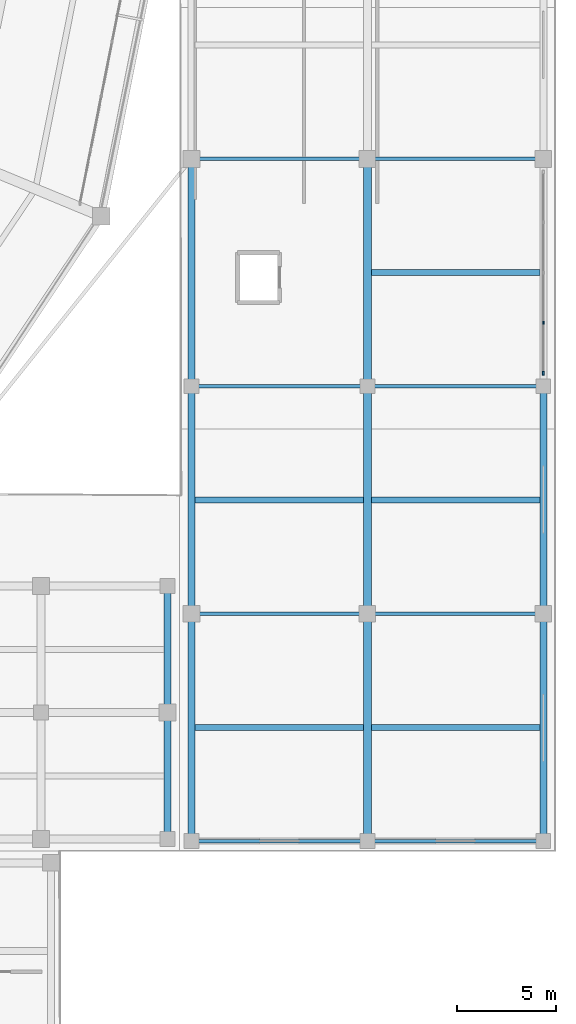
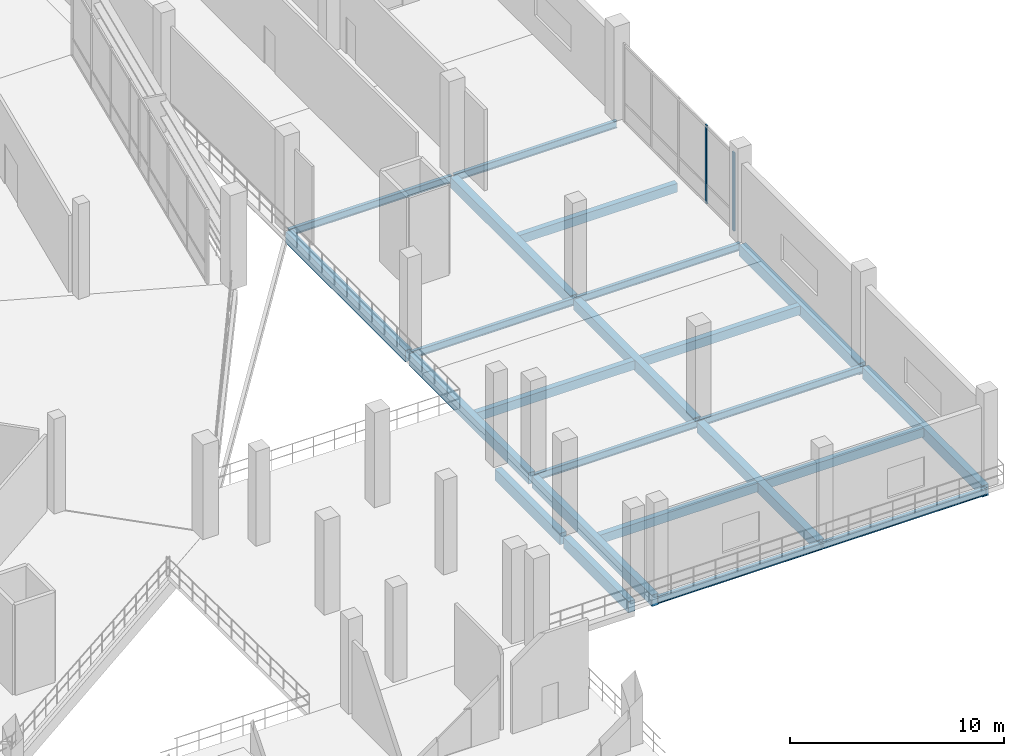
# One storey, part 39 of 114: 23 beams, 2 members, 1 element without a shape of its own.
"""IFC4 building model written with IfcOpenShell, lengths in metres."""

import ifcopenshell
import ifcopenshell.guid

model = None  # the IFC model being written
_history = None  # IfcOwnerHistory: only IFC2X3 demands one
_inside = {}  # id of a spatial element -> (the spatial element, [elements in it])
_under = {}  # id of a project, library or spatial element -> (it, [spatial elements below it])
_declared = {}  # id of a project -> (the project, [libraries it declares])
_typed = {}  # id of a type object -> (the type object, [elements of that type])
_made_of = {}  # id of a material, layer set ... -> (it, [elements and type objects made of it])


def new_model(schema):
    """Start an empty IFC model of exactly this schema.

    Asked for "IFC4X3", IfcOpenShell would pick the latest addendum, in which some entities
    have other attributes; the version numbers below select the first issue.
    IFC2X3 requires an IfcOwnerHistory on every rooted entity: one is made here for all.
    """
    global model, _history
    if schema == "IFC4X3":
        model = ifcopenshell.file(schema_version=(4, 3, 0, 0))
    else:
        model = ifcopenshell.file(schema=schema)
    _inside.clear()
    _under.clear()
    _declared.clear()
    _typed.clear()
    _made_of.clear()
    _history = None
    if model.schema == "IFC2X3":
        org = make("IfcOrganization", Name="unknown")
        user = make(
            "IfcPersonAndOrganization",
            ThePerson=make("IfcPerson", FamilyName="unknown"),
            TheOrganization=org,
        )
        app = make(
            "IfcApplication",
            ApplicationDeveloper=org,
            Version="unknown",
            ApplicationFullName="unknown",
            ApplicationIdentifier="unknown",
        )
        _history = make(
            "IfcOwnerHistory",
            OwningUser=user,
            OwningApplication=app,
            ChangeAction="ADDED",
            CreationDate=0,
        )
    return model


def make(cls, **values):
    """One entity of the class cls with the attributes given. An attribute that is None is left unset."""
    return model.create_entity(
        cls, **{name: value for name, value in values.items() if value is not None}
    )


def rooted(cls, **values):
    """An entity with a GlobalId (a new one), such as an element, a storey or a relation."""
    return make(cls, GlobalId=ifcopenshell.guid.new(), OwnerHistory=_history, **values)


def si_unit(unit_type, name, prefix=None):
    """IfcSIUnit, for example si_unit("LENGTHUNIT", "METRE", prefix="MILLI")."""
    return make("IfcSIUnit", UnitType=unit_type, Prefix=prefix, Name=name)


def assignment(units):
    """IfcUnitAssignment: the units of a project."""
    return None if units is None else make("IfcUnitAssignment", Units=units)


def point(xyz):
    """IfcCartesianPoint."""
    return None if xyz is None else make("IfcCartesianPoint", Coordinates=xyz)


def direction(xyz):
    """IfcDirection."""
    return None if xyz is None else make("IfcDirection", DirectionRatios=xyz)


def frame(location, z_axis=None, x_axis=None):
    """IfcAxis2Placement3D, a coordinate frame: its origin and axes. An axis left out is left unset."""
    return make(
        "IfcAxis2Placement3D",
        Location=point(location),
        Axis=direction(z_axis),
        RefDirection=direction(x_axis),
    )


def frame_2d(location, x_axis=None):
    """IfcAxis2Placement2D, a coordinate frame in the plane: its origin and x axis."""
    return make(
        "IfcAxis2Placement2D", Location=point(location), RefDirection=direction(x_axis)
    )


def origin():
    """The frame at (0, 0, 0) with its axes left unset."""
    return frame((0.0, 0.0, 0.0))


def origin_2d():
    """The frame at (0, 0) in the plane with its x axis left unset."""
    return frame_2d((0.0, 0.0))


def place(relative_to, where):
    """IfcLocalPlacement: puts the frame where relative to a parent placement (None: the world)."""
    return make(
        "IfcLocalPlacement", PlacementRelTo=relative_to, RelativePlacement=where
    )


def context(
    kind, dimensions, precision=None, world=None, true_north=None, identifier=None
):
    """IfcGeometricRepresentationContext, for example the 3D "Model" context."""
    return make(
        "IfcGeometricRepresentationContext",
        ContextIdentifier=identifier,
        ContextType=kind,
        CoordinateSpaceDimension=dimensions,
        Precision=precision,
        WorldCoordinateSystem=world,
        TrueNorth=true_north,
    )


def subcontext(parent, identifier, kind, view, scale=None):
    """IfcGeometricRepresentationSubContext, for example "Body" below "Model"."""
    return make(
        "IfcGeometricRepresentationSubContext",
        ContextIdentifier=identifier,
        ContextType=kind,
        ParentContext=parent,
        TargetScale=scale,
        TargetView=view,
    )


def project(units=None, contexts=None):
    """IfcProject with its units and contexts."""
    return rooted(
        "IfcProject",
        Name="project",
        RepresentationContexts=contexts,
        UnitsInContext=assignment(units),
    )


def spatial(cls, under=None, at=None, **own):
    """A site, building, storey or space (cls), placed at a placement, below another one or the project."""
    s = rooted(cls, ObjectPlacement=at, **own)
    if under is not None:
        _under.setdefault(under.id(), (under, []))[1].append(s)
    return s


def profile(cls, at=None, kind="AREA", **sizes):
    """A parametric profile (cls). Its sizes go by their IFC names, for example OverallWidth=200.0."""
    return make(cls, ProfileType=kind, Position=at, **sizes)


def rectangle(**sizes):
    """IfcRectangleProfileDef."""
    return profile("IfcRectangleProfileDef", **sizes)


def i_section(**sizes):
    """IfcIShapeProfileDef."""
    return profile("IfcIShapeProfileDef", **sizes)


def extrude(swept, where, along, depth):
    """IfcExtrudedAreaSolid: the profile swept, set in the frame where, extruded along a direction by depth."""
    return make(
        "IfcExtrudedAreaSolid",
        SweptArea=swept,
        Position=where,
        ExtrudedDirection=direction(along),
        Depth=depth,
    )


def shape(context_of_items, identifier, shape_type, items):
    """IfcShapeRepresentation: the items that make up one representation, for example the "Body"."""
    return make(
        "IfcShapeRepresentation",
        ContextOfItems=context_of_items,
        RepresentationIdentifier=identifier,
        RepresentationType=shape_type,
        Items=items,
    )


def material(Name=None, Category=None):
    """IfcMaterial."""
    return make("IfcMaterial", Name=Name, Category=Category)


def material_profile(
    of_material, cross_section, Name=None, Category=None, Priority=None
):
    """IfcMaterialProfile: a cross section and its material."""
    return make(
        "IfcMaterialProfile",
        Name=Name,
        Material=of_material,
        Profile=cross_section,
        Priority=Priority,
        Category=Category,
    )


def profile_set(profiles, Name=None, composite=None):
    """IfcMaterialProfileSet."""
    return make(
        "IfcMaterialProfileSet",
        Name=Name,
        MaterialProfiles=profiles,
        CompositeProfile=composite,
    )


def made_of(thing, what):
    """Note that an element or type object is made of a material, layer set ...; save() writes the relation."""
    if what is not None:
        _made_of.setdefault(what.id(), (what, []))[1].append(thing)
    return thing


def type_object(cls, material=None, **own):
    """A type object (cls), such as IfcWallType, which elements share."""
    return made_of(rooted(cls, **own), material)


def element(
    cls,
    number,
    at=None,
    inside=None,
    cuts=None,
    type_object=None,
    material=None,
    context=None,
    identifier="Body",
    shape_type=None,
    held_by="IfcProductDefinitionShape",
    body=None,
    shapes=None,
    **own,
):
    """One element of the class cls, such as IfcWall. Its Tag is "e" and its number.

    at: its placement. inside: the storey or other place that contains it. cuts: it is an
    opening in that element (IfcRelVoidsElement). A single representation is given by context,
    identifier, shape_type and body (its items); several are given by shapes. held_by: the class
    of the entity that holds the representations. save() writes the other relations.
    """
    e = rooted(cls, Tag="e%d" % number, ObjectPlacement=at, **own)
    if body is not None:
        shapes = [shape(context, identifier, shape_type, body)]
    if shapes is not None:
        e.Representation = make(held_by, Representations=shapes)
    if inside is not None:
        _inside.setdefault(inside.id(), (inside, []))[1].append(e)
    if cuts is not None:
        rooted(
            "IfcRelVoidsElement", RelatingBuildingElement=cuts, RelatedOpeningElement=e
        )
    if type_object is not None:
        _typed.setdefault(type_object.id(), (type_object, []))[1].append(e)
    return made_of(e, material)


def aggregate(whole, parts):
    """IfcRelAggregates: a whole, such as a stair, and the parts it consists of."""
    return rooted("IfcRelAggregates", RelatingObject=whole, RelatedObjects=parts)


def save(model, path):
    """Write the relations noted so far, then the file.

    IfcRelAggregates (storeys below a building ...), IfcRelContainedInSpatialStructure (elements
    in a storey), IfcRelDefinesByType, IfcRelAssociatesMaterial and IfcRelDeclares: one each for
    every whole, place, type object, material and project.
    """
    for whole, parts in _under.values():
        aggregate(whole, parts)
    for where, things in _inside.values():
        rooted(
            "IfcRelContainedInSpatialStructure",
            RelatedElements=things,
            RelatingStructure=where,
        )
    for kind, things in _typed.values():
        rooted("IfcRelDefinesByType", RelatedObjects=things, RelatingType=kind)
    for what, things in _made_of.values():
        rooted("IfcRelAssociatesMaterial", RelatedObjects=things, RelatingMaterial=what)
    for by, libraries in _declared.values():
        rooted("IfcRelDeclares", RelatingContext=by, RelatedDefinitions=libraries)
    model.write(path)


model = new_model("IFC4")

# Units and contexts
model_context = context("Model", 3, precision=1e-05, world=origin(), true_north=direction((0.0, 1.0)))
body_context = subcontext(model_context, "Body", "Model", "MODEL_VIEW")
ifc_project = project(units=[si_unit("LENGTHUNIT", "METRE"), si_unit("AREAUNIT", "SQUARE_METRE"), si_unit("VOLUMEUNIT", "CUBIC_METRE"), si_unit("PLANEANGLEUNIT", "RADIAN"), si_unit("MASSUNIT", "GRAM", prefix="KILO")], contexts=[model_context])

# Site, building, storey
site_placement = place(None, origin())
site = spatial("IfcSite", under=ifc_project, at=site_placement, CompositionType="ELEMENT")
building_placement = place(site_placement, origin())
building = spatial("IfcBuilding", under=site, at=building_placement, Name="Candeia Ridge Stadium", CompositionType="ELEMENT")
storey_placement = place(building_placement, frame((0.0, 0.0, 5.39990234375)))
storey = spatial("IfcBuildingStorey", under=building, at=storey_placement, Name="L01", CompositionType="ELEMENT", Elevation=5.39990234375)

# Curtain wall, members
ifc_material_1 = material(Name="Aluminium Anodized Warm Bronze", Category="aluminium")
curtain_wall_type = type_object("IfcCurtainWallType", Name="Cardinal Entrance Gate Tall Glazed Curtain Wall", PredefinedType="NOTDEFINED", material=ifc_material_1)
curtain_wall_placement = place(storey_placement, origin())
curtain_wall = element("IfcCurtainWall", 1, at=curtain_wall_placement, inside=storey, type_object=curtain_wall_type, Name="Unitised curtain wall CW-WNG-L01-101", PredefinedType="NOTDEFINED")
ifc_material_profile_1 = material_profile(ifc_material_1, rectangle(XDim=0.090087890625, YDim=0.179931640625, at=origin_2d()), Name="CWM-90x180", Category="aluminium")
ifc_profile_set_1 = profile_set([ifc_material_profile_1], Name="Aluminium Anodized Warm Bronze")
member_type_1 = type_object("IfcMemberType", Name="Curtain Wall Primary Mullion 90x180", PredefinedType="MULLION", material=ifc_profile_set_1)
member_1_placement = place(storey_placement, frame((211.39990234375, 43.159912109375, 0.0), z_axis=(0.0, 0.0, 1.0), x_axis=(1.0, 0.0, 0.0)))
member_1 = element("IfcMember", 2, at=member_1_placement, type_object=member_type_1, Name="Curtain wall mullion CW-WNG-L01-101-M0", PredefinedType="MULLION", context=body_context, shape_type="SweptSolid", body=[
    extrude(rectangle(XDim=0.090087890625, YDim=0.179931640625, at=origin_2d()), origin(), (0.0, 0.0, 1.0), 4.47509765625),
])
ifc_material_profile_2 = material_profile(ifc_material_1, rectangle(XDim=0.074951171875, YDim=0.14990234375, at=origin_2d()), Name="CWM-75x150", Category="aluminium")
ifc_profile_set_2 = profile_set([ifc_material_profile_2], Name="Aluminium Anodized Warm Bronze")
member_type_2 = type_object("IfcMemberType", Name="Curtain Wall Secondary Mullion 75x150", PredefinedType="MULLION", material=ifc_profile_set_2)
member_2_placement = place(storey_placement, frame((211.39990234375, 45.705078125, 0.0), z_axis=(0.0, 0.0, 1.0), x_axis=(1.0, 0.0, 0.0)))
member_2 = element("IfcMember", 3, at=member_2_placement, type_object=member_type_2, Name="Curtain wall mullion CW-WNG-L01-101-M1", PredefinedType="MULLION", context=body_context, shape_type="SweptSolid", body=[
    extrude(rectangle(XDim=0.074951171875, YDim=0.14990234375, at=origin_2d()), origin(), (0.0, 0.0, 1.0), 4.47509765625),
])
aggregate(curtain_wall, [member_1, member_2])

# Beams
ifc_material_2 = material(Name="Concrete C40/50", Category="concrete")
ifc_material_profile_3 = material_profile(ifc_material_2, rectangle(XDim=0.300048828125, YDim=0.5, at=origin_2d()), Name="RC300x500", Category="concrete")
ifc_profile_set_3 = profile_set([ifc_material_profile_3], Name="Concrete C40/50")
beam_type_1 = type_object("IfcBeamType", Name="Floor Joist RC300x500", PredefinedType="JOIST", material=ifc_profile_set_3)
for number, where, z_axis, x_axis, name in (
    (4, (193.7744140625, 25.25, -0.510009765625), (1.0, 0.0, 0.0), (0.0, 1.0, 0.0), "Wing secondary joist BM-L01-1486"),
    (5, (193.7744140625, 36.75, -0.510009765625), (1.0, 0.0, 0.0), (0.0, 1.0, 0.0), "Wing secondary joist BM-L01-1488"),
    (6, (202.699462890625, 25.25, -0.510009765625), (1.0, 0.0, 0.0), (0.0, 1.0, 0.0), "Wing secondary joist BM-L01-1507"),
    (7, (202.699462890625, 36.75, -0.510009765625), (1.0, 0.0, 0.0), (0.0, 1.0, 0.0), "Wing secondary joist BM-L01-1509"),
    (8, (202.699462890625, 48.25, -0.510009765625), (1.0, 0.0, 0.0), (0.0, 1.0, 0.0), "Wing secondary joist BM-L01-1511"),
):
    element("IfcBeam", number, at=place(storey_placement, frame(where, z_axis=z_axis, x_axis=x_axis)), inside=storey, type_object=beam_type_1, Name=name, PredefinedType="JOIST", context=body_context, shape_type="SweptSolid", body=[
        extrude(rectangle(XDim=0.300048828125, YDim=0.5, at=origin_2d()), origin(), (0.0, 0.0, 1.0), 8.526123046875),
    ])
ifc_material_profile_4 = material_profile(ifc_material_2, rectangle(XDim=0.39990234375, YDim=0.60009765625, at=origin_2d()), Name="RC400x600", Category="concrete")
ifc_profile_set_4 = profile_set([ifc_material_profile_4], Name="Concrete C40/50")
beam_type_2 = type_object("IfcBeamType", Name="Frame Girder RC400x600", PredefinedType="BEAM", material=ifc_profile_set_4)
for number, where, z_axis, x_axis, name in (
    (9, (202.5, 19.659912109375, -0.559814453125), (0.0, 1.0, 0.0), (-1.0, 0.0, 0.0), "Structural girder BM-L01-1463"),
    (10, (202.5, 31.159912109375, -0.559814453125), (0.0, 1.0, 0.0), (-1.0, 0.0, 0.0), "Structural girder BM-L01-1464"),
    (11, (202.5, 42.659912109375, -0.559814453125), (0.0, 1.0, 0.0), (-1.0, 0.0, 0.0), "Structural girder BM-L01-1465"),
):
    element("IfcBeam", number, at=place(storey_placement, frame(where, z_axis=z_axis, x_axis=x_axis)), inside=storey, type_object=beam_type_2, Name=name, PredefinedType="BEAM", context=body_context, shape_type="SweptSolid", body=[
        extrude(rectangle(XDim=0.39990234375, YDim=0.60009765625, at=origin_2d()), origin(), (0.0, 0.0, 1.0), 11.18017578125),
    ])
ifc_material_profile_5 = material_profile(ifc_material_2, rectangle(XDim=0.35009765625, YDim=0.64990234375, at=origin_2d()), Name="RC350x650", Category="concrete")
ifc_profile_set_5 = profile_set([ifc_material_profile_5], Name="Concrete C40/50")
beam_type_3 = type_object("IfcBeamType", Name="Spandrel Beam RC350x650", PredefinedType="SPANDREL", material=ifc_profile_set_5)
for number, where, z_axis, x_axis, name in (
    (12, (193.60009765625, 19.659912109375, -0.5849609375), (0.0, 1.0, 0.0), (-1.0, 0.0, 0.0), "Structural girder BM-L01-1452"),
    (13, (193.60009765625, 31.159912109375, -0.5849609375), (0.0, 1.0, 0.0), (-1.0, 0.0, 0.0), "Structural girder BM-L01-1453"),
    (14, (193.60009765625, 42.659912109375, -0.5849609375), (0.0, 1.0, 0.0), (-1.0, 0.0, 0.0), "Structural girder BM-L01-1454"),
    (15, (211.39990234375, 19.659912109375, -0.5849609375), (0.0, 1.0, 0.0), (-1.0, 0.0, 0.0), "Structural girder BM-L01-1474"),
    (16, (211.39990234375, 31.159912109375, -0.5849609375), (0.0, 1.0, 0.0), (-1.0, 0.0, 0.0), "Structural girder BM-L01-1475"),
):
    element("IfcBeam", number, at=place(storey_placement, frame(where, z_axis=z_axis, x_axis=x_axis)), inside=storey, type_object=beam_type_3, Name=name, PredefinedType="SPANDREL", context=body_context, shape_type="SweptSolid", body=[
        extrude(rectangle(XDim=0.35009765625, YDim=0.64990234375, at=origin_2d()), origin(), (0.0, 0.0, 1.0), 11.18017578125),
    ])
for number, where, z_axis, x_axis, name in (
    (17, (192.39990234375, 19.760009765625, -0.5849609375), (0.0, 1.0, 0.0), (-1.0, 0.0, 0.0), "Structural girder BM-L01-2080"),
    (18, (192.39990234375, 26.159912109375, -0.5849609375), (0.0, 1.0, 0.0), (-1.0, 0.0, 0.0), "Structural girder BM-L01-2081"),
):
    element("IfcBeam", number, at=place(storey_placement, frame(where, z_axis=z_axis, x_axis=x_axis)), inside=storey, type_object=beam_type_3, Name=name, PredefinedType="SPANDREL", context=body_context, shape_type="SweptSolid", body=[
        extrude(rectangle(XDim=0.35009765625, YDim=0.64990234375, at=origin_2d()), origin(), (0.0, 0.0, 1.0), 6.080078125),
    ])
ifc_material_3 = material(Name="Steel ASTM A572 Grade 50", Category="steel")
ifc_material_profile_6 = material_profile(ifc_material_3, i_section(OverallWidth=0.178955078125, OverallDepth=0.409912109375, WebThickness=0.0087890625, FlangeThickness=0.014404296875, FilletRadius=0.011962890625, at=origin_2d()), Name="W410x67", Category="steel")
ifc_profile_set_6 = profile_set([ifc_material_profile_6], Name="Steel ASTM A572 Grade 50")
beam_type_4 = type_object("IfcBeamType", Name="Warm-Up Hall Girder W410x67", PredefinedType="BEAM", material=ifc_profile_set_6)
for number, where, z_axis, x_axis, name in (
    (19, (193.64990234375, 19.5, -0.46484375), (1.0, 0.0, 0.0), (0.0, 1.0, 0.0), "Structural girder BM-L01-1485"),
    (20, (193.64990234375, 31.0, -0.46484375), (1.0, 0.0, 0.0), (0.0, 1.0, 0.0), "Structural girder BM-L01-1487"),
    (21, (193.64990234375, 42.5, -0.46484375), (1.0, 0.0, 0.0), (0.0, 1.0, 0.0), "Structural girder BM-L01-1489"),
    (22, (193.64990234375, 54.0, -0.46484375), (1.0, 0.0, 0.0), (0.0, 1.0, 0.0), "Structural girder BM-L01-1490"),
    (23, (202.550048828125, 19.5, -0.46484375), (1.0, 0.0, 0.0), (0.0, 1.0, 0.0), "Structural girder BM-L01-1506"),
    (24, (202.550048828125, 31.0, -0.46484375), (1.0, 0.0, 0.0), (0.0, 1.0, 0.0), "Structural girder BM-L01-1508"),
    (25, (202.550048828125, 42.5, -0.46484375), (1.0, 0.0, 0.0), (0.0, 1.0, 0.0), "Structural girder BM-L01-1510"),
    (26, (202.550048828125, 54.0, -0.46484375), (1.0, 0.0, 0.0), (0.0, 1.0, 0.0), "Structural girder BM-L01-1512"),
):
    element("IfcBeam", number, at=place(storey_placement, frame(where, z_axis=z_axis, x_axis=x_axis)), inside=storey, type_object=beam_type_4, Name=name, PredefinedType="BEAM", context=body_context, shape_type="SweptSolid", body=[
        extrude(i_section(OverallWidth=0.178955078125, OverallDepth=0.409912109375, WebThickness=0.0087890625, FlangeThickness=0.014404296875, FilletRadius=0.011962890625, at=origin_2d()), origin(), (0.0, 0.0, 1.0), 8.800048828125),
    ])

save(model, "model.ifc")
